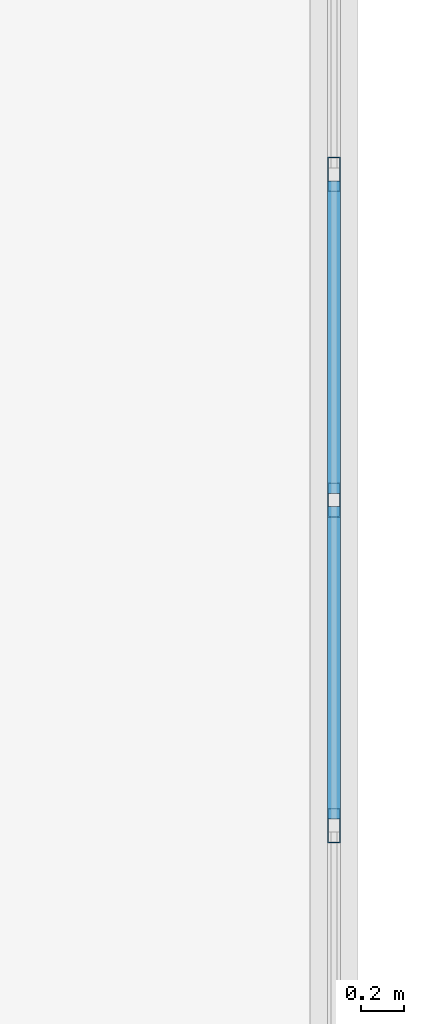
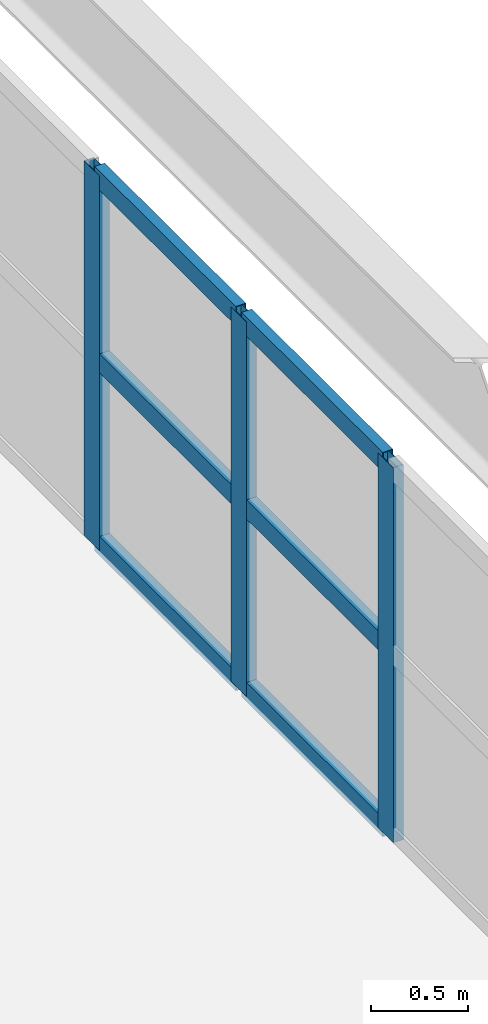
# One storey, part 38 of 74: 9 members, 1 element without a shape of its own.
"""IFC4 building model written with IfcOpenShell, lengths in metres."""

from ifc_helpers import new_model, si_unit, direction, frame, origin, origin_2d, place, context, subcontext, project, spatial, hollow_rectangle, extrude, material, layer, layer_set, material_profile, profile_set, type_object, element, aggregate, save


model = new_model("IFC4")

# Units and contexts
model_context = context("Model", 3, precision=1e-05, world=origin(), true_north=direction((0.0, 1.0)))
body_context = subcontext(model_context, "Body", "Model", "MODEL_VIEW")
ifc_project = project(units=[si_unit("LENGTHUNIT", "METRE"), si_unit("AREAUNIT", "SQUARE_METRE"), si_unit("VOLUMEUNIT", "CUBIC_METRE"), si_unit("PLANEANGLEUNIT", "RADIAN"), si_unit("MASSUNIT", "GRAM", prefix="KILO")], contexts=[model_context])

# Site, building, storey
site_placement = place(None, origin())
site = spatial("IfcSite", under=ifc_project, at=site_placement, CompositionType="ELEMENT")
building_placement = place(site_placement, origin())
building = spatial("IfcBuilding", under=site, at=building_placement, Name="Muzn Square Opera House", CompositionType="ELEMENT")
storey_placement = place(building_placement, frame((0.0, 0.0, 14.199951171875)))
storey = spatial("IfcBuildingStorey", under=building, at=storey_placement, Name="L03", CompositionType="ELEMENT", Elevation=14.199951171875)

# Curtain wall, members
ifc_material_1 = material(Name="Low-E laminated acoustic double glazing", Category="glass")
ifc_layer = layer(ifc_material_1, 0.159912109375, Name="Low-E laminated acoustic double glazing", Category="glass")
ifc_layer_set = layer_set([ifc_layer], Name="Low-E laminated acoustic double glazing")
curtain_wall_type = type_object("IfcCurtainWallType", Name="Glazed Curtain Wall RehearsalEast 12075x2350", PredefinedType="USERDEFINED", material=ifc_layer_set)
curtain_wall_placement = place(storey_placement, origin())
curtain_wall = element("IfcCurtainWall", 1, at=curtain_wall_placement, inside=storey, type_object=curtain_wall_type, Name="Glazed Curtain Wall CW-L03-129", ObjectType="GLAZED CURTAIN WALL", PredefinedType="USERDEFINED")
ifc_material_2 = material(Name="Anodised bronze aluminium 6063-T6", Category="metal")
ifc_material_profile_1 = material_profile(ifc_material_2, hollow_rectangle(XDim=0.06005859375, YDim=0.159912109375, WallThickness=0.00390625, at=origin_2d()), Name="ALU 160x60x4", Category="metal")
ifc_profile_set_1 = profile_set([ifc_material_profile_1], Name="Anodised bronze aluminium 6063-T6")
member_type_1 = type_object("IfcMemberType", Name="Curtain Wall Mullion 160x60", PredefinedType="MULLION", material=ifc_profile_set_1)
member_1_placement = place(storey_placement, frame((170.0, 106.471923828125, 0.0), z_axis=(0.0, 0.0, 1.0), x_axis=(-1.0, 0.0, 0.0)))
member_1 = element("IfcMember", 2, at=member_1_placement, type_object=member_type_1, Name="CW-RHE-120x23 mullion 6", PredefinedType="MULLION", context=body_context, shape_type="SweptSolid", body=[
    extrude(hollow_rectangle(XDim=0.06005859375, YDim=0.159912109375, WallThickness=0.00390625, at=origin_2d()), origin(), (0.0, 0.0, 1.0), 2.35009765625),
])
member_2_placement = place(storey_placement, frame((170.0, 107.981201171875, 0.0), z_axis=(0.0, 0.0, 1.0), x_axis=(-1.0, 0.0, 0.0)))
member_2 = element("IfcMember", 3, at=member_2_placement, type_object=member_type_1, Name="CW-RHE-120x23 mullion 7", PredefinedType="MULLION", context=body_context, shape_type="SweptSolid", body=[
    extrude(hollow_rectangle(XDim=0.06005859375, YDim=0.159912109375, WallThickness=0.00390625, at=origin_2d()), origin(), (0.0, 0.0, 1.0), 2.35009765625),
])
member_3_placement = place(storey_placement, frame((170.0, 109.49072265625, 0.0), z_axis=(0.0, 0.0, 1.0), x_axis=(-1.0, 0.0, 0.0)))
member_3 = element("IfcMember", 4, at=member_3_placement, type_object=member_type_1, Name="CW-RHE-120x23 mullion 8", PredefinedType="MULLION", context=body_context, shape_type="SweptSolid", body=[
    extrude(hollow_rectangle(XDim=0.06005859375, YDim=0.159912109375, WallThickness=0.00390625, at=origin_2d()), origin(), (0.0, 0.0, 1.0), 2.35009765625),
])
ifc_material_profile_2 = material_profile(ifc_material_2, hollow_rectangle(XDim=0.06005859375, YDim=0.1201171875, WallThickness=0.00390625, at=origin_2d()), Name="ALU 120x60x4", Category="metal")
ifc_profile_set_2 = profile_set([ifc_material_profile_2], Name="Anodised bronze aluminium 6063-T6")
member_type_2 = type_object("IfcMemberType", Name="Curtain Wall Transom 120x60", PredefinedType="USERDEFINED", material=ifc_profile_set_2)
member_4_placement = place(storey_placement, frame((170.0, 106.501953125, 0.030029296875), z_axis=(0.0, 1.0, 0.0), x_axis=(-1.0, 0.0, 0.0)))
member_4 = element("IfcMember", 5, at=member_4_placement, type_object=member_type_2, Name="CW-RHE-120x23 transom 6.1", ObjectType="TRANSOM", PredefinedType="USERDEFINED", context=body_context, shape_type="SweptSolid", body=[
    extrude(hollow_rectangle(XDim=0.06005859375, YDim=0.1201171875, WallThickness=0.00390625, at=origin_2d()), origin(), (0.0, 0.0, 1.0), 1.44921875),
])
member_5_placement = place(storey_placement, frame((170.0, 106.501953125, 1.175048828125), z_axis=(0.0, 1.0, 0.0), x_axis=(-1.0, 0.0, 0.0)))
member_5 = element("IfcMember", 6, at=member_5_placement, type_object=member_type_2, Name="CW-RHE-120x23 transom 6.2", ObjectType="TRANSOM", PredefinedType="USERDEFINED", context=body_context, shape_type="SweptSolid", body=[
    extrude(hollow_rectangle(XDim=0.06005859375, YDim=0.1201171875, WallThickness=0.00390625, at=origin_2d()), origin(), (0.0, 0.0, 1.0), 1.44921875),
])
member_6_placement = place(storey_placement, frame((170.0, 106.501953125, 2.320068359375), z_axis=(0.0, 1.0, 0.0), x_axis=(-1.0, 0.0, 0.0)))
member_6 = element("IfcMember", 7, at=member_6_placement, type_object=member_type_2, Name="CW-RHE-120x23 transom 6.3", ObjectType="TRANSOM", PredefinedType="USERDEFINED", context=body_context, shape_type="SweptSolid", body=[
    extrude(hollow_rectangle(XDim=0.06005859375, YDim=0.1201171875, WallThickness=0.00390625, at=origin_2d()), origin(), (0.0, 0.0, 1.0), 1.44921875),
])
member_7_placement = place(storey_placement, frame((170.0, 108.01123046875, 0.030029296875), z_axis=(0.0, 1.0, 0.0), x_axis=(-1.0, 0.0, 0.0)))
member_7 = element("IfcMember", 8, at=member_7_placement, type_object=member_type_2, Name="CW-RHE-120x23 transom 7.1", ObjectType="TRANSOM", PredefinedType="USERDEFINED", context=body_context, shape_type="SweptSolid", body=[
    extrude(hollow_rectangle(XDim=0.06005859375, YDim=0.1201171875, WallThickness=0.00390625, at=origin_2d()), origin(), (0.0, 0.0, 1.0), 1.449462890625),
])
member_8_placement = place(storey_placement, frame((170.0, 108.01123046875, 1.175048828125), z_axis=(0.0, 1.0, 0.0), x_axis=(-1.0, 0.0, 0.0)))
member_8 = element("IfcMember", 9, at=member_8_placement, type_object=member_type_2, Name="CW-RHE-120x23 transom 7.2", ObjectType="TRANSOM", PredefinedType="USERDEFINED", context=body_context, shape_type="SweptSolid", body=[
    extrude(hollow_rectangle(XDim=0.06005859375, YDim=0.1201171875, WallThickness=0.00390625, at=origin_2d()), origin(), (0.0, 0.0, 1.0), 1.449462890625),
])
member_9_placement = place(storey_placement, frame((170.0, 108.01123046875, 2.320068359375), z_axis=(0.0, 1.0, 0.0), x_axis=(-1.0, 0.0, 0.0)))
member_9 = element("IfcMember", 10, at=member_9_placement, type_object=member_type_2, Name="CW-RHE-120x23 transom 7.3", ObjectType="TRANSOM", PredefinedType="USERDEFINED", context=body_context, shape_type="SweptSolid", body=[
    extrude(hollow_rectangle(XDim=0.06005859375, YDim=0.1201171875, WallThickness=0.00390625, at=origin_2d()), origin(), (0.0, 0.0, 1.0), 1.449462890625),
])
aggregate(curtain_wall, [member_1, member_2, member_3, member_4, member_5, member_6, member_7, member_8, member_9])

save(model, "model.ifc")
